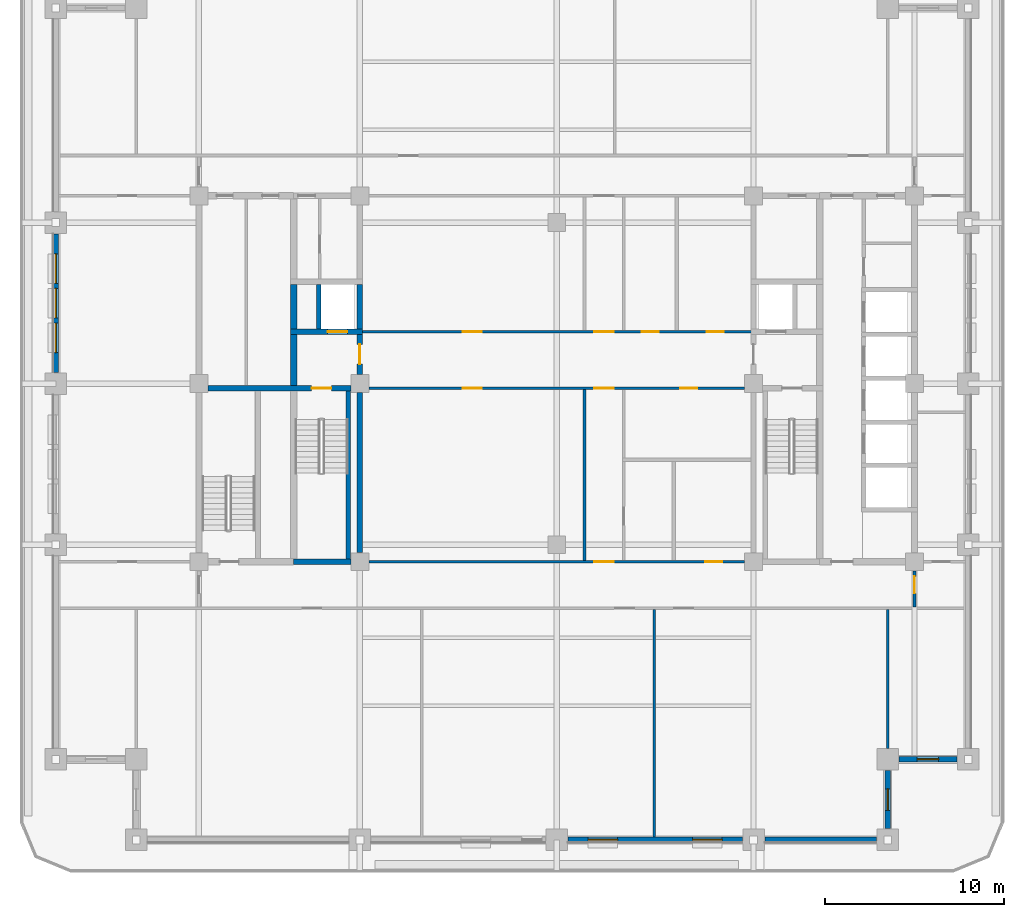
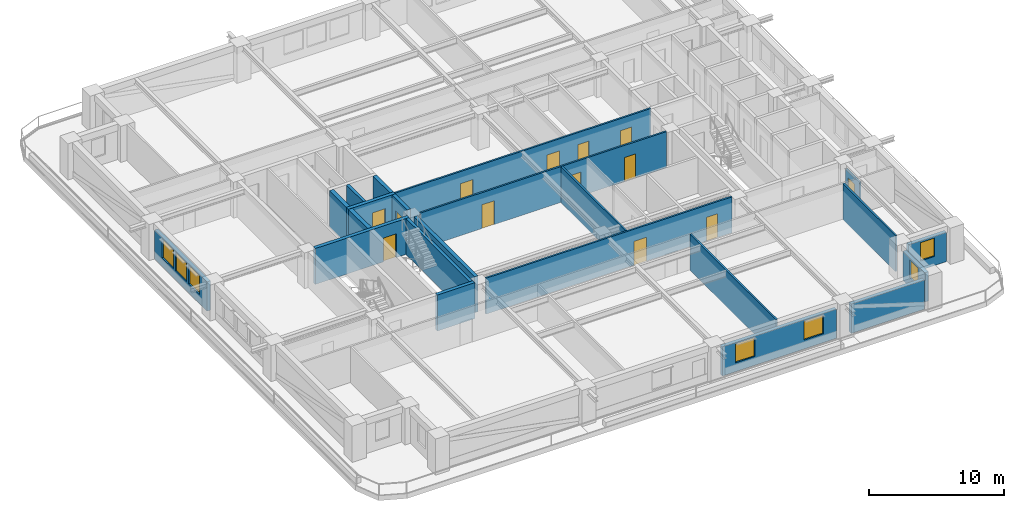
# One storey, part 3 of 15: 22 walls, 13 doors, 7 windows, 20 openings.
"""IFC4 building model written with IfcOpenShell, lengths in metres."""

import ifcopenshell
import ifcopenshell.guid

model = None  # the IFC model being written
_history = None  # IfcOwnerHistory: only IFC2X3 demands one
_inside = {}  # id of a spatial element -> (the spatial element, [elements in it])
_under = {}  # id of a project, library or spatial element -> (it, [spatial elements below it])
_declared = {}  # id of a project -> (the project, [libraries it declares])
_typed = {}  # id of a type object -> (the type object, [elements of that type])
_made_of = {}  # id of a material, layer set ... -> (it, [elements and type objects made of it])


def new_model(schema):
    """Start an empty IFC model of exactly this schema.

    Asked for "IFC4X3", IfcOpenShell would pick the latest addendum, in which some entities
    have other attributes; the version numbers below select the first issue.
    IFC2X3 requires an IfcOwnerHistory on every rooted entity: one is made here for all.
    """
    global model, _history
    if schema == "IFC4X3":
        model = ifcopenshell.file(schema_version=(4, 3, 0, 0))
    else:
        model = ifcopenshell.file(schema=schema)
    _inside.clear()
    _under.clear()
    _declared.clear()
    _typed.clear()
    _made_of.clear()
    _history = None
    if model.schema == "IFC2X3":
        org = make("IfcOrganization", Name="unknown")
        user = make(
            "IfcPersonAndOrganization",
            ThePerson=make("IfcPerson", FamilyName="unknown"),
            TheOrganization=org,
        )
        app = make(
            "IfcApplication",
            ApplicationDeveloper=org,
            Version="unknown",
            ApplicationFullName="unknown",
            ApplicationIdentifier="unknown",
        )
        _history = make(
            "IfcOwnerHistory",
            OwningUser=user,
            OwningApplication=app,
            ChangeAction="ADDED",
            CreationDate=0,
        )
    return model


def make(cls, **values):
    """One entity of the class cls with the attributes given. An attribute that is None is left unset."""
    return model.create_entity(
        cls, **{name: value for name, value in values.items() if value is not None}
    )


def rooted(cls, **values):
    """An entity with a GlobalId (a new one), such as an element, a storey or a relation."""
    return make(cls, GlobalId=ifcopenshell.guid.new(), OwnerHistory=_history, **values)


def si_unit(unit_type, name, prefix=None):
    """IfcSIUnit, for example si_unit("LENGTHUNIT", "METRE", prefix="MILLI")."""
    return make("IfcSIUnit", UnitType=unit_type, Prefix=prefix, Name=name)


def assignment(units):
    """IfcUnitAssignment: the units of a project."""
    return None if units is None else make("IfcUnitAssignment", Units=units)


def point(xyz):
    """IfcCartesianPoint."""
    return None if xyz is None else make("IfcCartesianPoint", Coordinates=xyz)


def direction(xyz):
    """IfcDirection."""
    return None if xyz is None else make("IfcDirection", DirectionRatios=xyz)


def frame(location, z_axis=None, x_axis=None):
    """IfcAxis2Placement3D, a coordinate frame: its origin and axes. An axis left out is left unset."""
    return make(
        "IfcAxis2Placement3D",
        Location=point(location),
        Axis=direction(z_axis),
        RefDirection=direction(x_axis),
    )


def frame_2d(location, x_axis=None):
    """IfcAxis2Placement2D, a coordinate frame in the plane: its origin and x axis."""
    return make(
        "IfcAxis2Placement2D", Location=point(location), RefDirection=direction(x_axis)
    )


def origin():
    """The frame at (0, 0, 0) with its axes left unset."""
    return frame((0.0, 0.0, 0.0))


def place(relative_to, where):
    """IfcLocalPlacement: puts the frame where relative to a parent placement (None: the world)."""
    return make(
        "IfcLocalPlacement", PlacementRelTo=relative_to, RelativePlacement=where
    )


def context(
    kind, dimensions, precision=None, world=None, true_north=None, identifier=None
):
    """IfcGeometricRepresentationContext, for example the 3D "Model" context."""
    return make(
        "IfcGeometricRepresentationContext",
        ContextIdentifier=identifier,
        ContextType=kind,
        CoordinateSpaceDimension=dimensions,
        Precision=precision,
        WorldCoordinateSystem=world,
        TrueNorth=true_north,
    )


def subcontext(parent, identifier, kind, view, scale=None):
    """IfcGeometricRepresentationSubContext, for example "Body" below "Model"."""
    return make(
        "IfcGeometricRepresentationSubContext",
        ContextIdentifier=identifier,
        ContextType=kind,
        ParentContext=parent,
        TargetScale=scale,
        TargetView=view,
    )


def project(units=None, contexts=None):
    """IfcProject with its units and contexts."""
    return rooted(
        "IfcProject",
        Name="project",
        RepresentationContexts=contexts,
        UnitsInContext=assignment(units),
    )


def spatial(cls, under=None, at=None, **own):
    """A site, building, storey or space (cls), placed at a placement, below another one or the project."""
    s = rooted(cls, ObjectPlacement=at, **own)
    if under is not None:
        _under.setdefault(under.id(), (under, []))[1].append(s)
    return s


def profile(cls, at=None, kind="AREA", **sizes):
    """A parametric profile (cls). Its sizes go by their IFC names, for example OverallWidth=200.0."""
    return make(cls, ProfileType=kind, Position=at, **sizes)


def rectangle(**sizes):
    """IfcRectangleProfileDef."""
    return profile("IfcRectangleProfileDef", **sizes)


def extrude(swept, where, along, depth):
    """IfcExtrudedAreaSolid: the profile swept, set in the frame where, extruded along a direction by depth."""
    return make(
        "IfcExtrudedAreaSolid",
        SweptArea=swept,
        Position=where,
        ExtrudedDirection=direction(along),
        Depth=depth,
    )


def shape(context_of_items, identifier, shape_type, items):
    """IfcShapeRepresentation: the items that make up one representation, for example the "Body"."""
    return make(
        "IfcShapeRepresentation",
        ContextOfItems=context_of_items,
        RepresentationIdentifier=identifier,
        RepresentationType=shape_type,
        Items=items,
    )


def material(Name=None, Category=None):
    """IfcMaterial."""
    return make("IfcMaterial", Name=Name, Category=Category)


def layer(
    of_material, thickness, ventilated=None, Name=None, Category=None, Priority=None
):
    """IfcMaterialLayer: one layer of a wall or slab, of a material (None: an air gap)."""
    return make(
        "IfcMaterialLayer",
        Material=of_material,
        LayerThickness=thickness,
        IsVentilated=ventilated,
        Name=Name,
        Category=Category,
        Priority=Priority,
    )


def layer_set(layers, Name=None):
    """IfcMaterialLayerSet."""
    return make("IfcMaterialLayerSet", MaterialLayers=layers, LayerSetName=Name)


def made_of(thing, what):
    """Note that an element or type object is made of a material, layer set ...; save() writes the relation."""
    if what is not None:
        _made_of.setdefault(what.id(), (what, []))[1].append(thing)
    return thing


def type_object(cls, material=None, **own):
    """A type object (cls), such as IfcWallType, which elements share."""
    return made_of(rooted(cls, **own), material)


def element(
    cls,
    number,
    at=None,
    inside=None,
    cuts=None,
    type_object=None,
    material=None,
    context=None,
    identifier="Body",
    shape_type=None,
    held_by="IfcProductDefinitionShape",
    body=None,
    shapes=None,
    **own,
):
    """One element of the class cls, such as IfcWall. Its Tag is "e" and its number.

    at: its placement. inside: the storey or other place that contains it. cuts: it is an
    opening in that element (IfcRelVoidsElement). A single representation is given by context,
    identifier, shape_type and body (its items); several are given by shapes. held_by: the class
    of the entity that holds the representations. save() writes the other relations.
    """
    e = rooted(cls, Tag="e%d" % number, ObjectPlacement=at, **own)
    if body is not None:
        shapes = [shape(context, identifier, shape_type, body)]
    if shapes is not None:
        e.Representation = make(held_by, Representations=shapes)
    if inside is not None:
        _inside.setdefault(inside.id(), (inside, []))[1].append(e)
    if cuts is not None:
        rooted(
            "IfcRelVoidsElement", RelatingBuildingElement=cuts, RelatedOpeningElement=e
        )
    if type_object is not None:
        _typed.setdefault(type_object.id(), (type_object, []))[1].append(e)
    return made_of(e, material)


def fill(opening, filler):
    """IfcRelFillsElement: the door or window that sits in an opening."""
    return rooted(
        "IfcRelFillsElement",
        RelatingOpeningElement=opening,
        RelatedBuildingElement=filler,
    )


def aggregate(whole, parts):
    """IfcRelAggregates: a whole, such as a stair, and the parts it consists of."""
    return rooted("IfcRelAggregates", RelatingObject=whole, RelatedObjects=parts)


def save(model, path):
    """Write the relations noted so far, then the file.

    IfcRelAggregates (storeys below a building ...), IfcRelContainedInSpatialStructure (elements
    in a storey), IfcRelDefinesByType, IfcRelAssociatesMaterial and IfcRelDeclares: one each for
    every whole, place, type object, material and project.
    """
    for whole, parts in _under.values():
        aggregate(whole, parts)
    for where, things in _inside.values():
        rooted(
            "IfcRelContainedInSpatialStructure",
            RelatedElements=things,
            RelatingStructure=where,
        )
    for kind, things in _typed.values():
        rooted("IfcRelDefinesByType", RelatedObjects=things, RelatingType=kind)
    for what, things in _made_of.values():
        rooted("IfcRelAssociatesMaterial", RelatedObjects=things, RelatingMaterial=what)
    for by, libraries in _declared.values():
        rooted("IfcRelDeclares", RelatingContext=by, RelatedDefinitions=libraries)
    model.write(path)


model = new_model("IFC4")

# Units and contexts
model_context = context("Model", 3, precision=1e-05, world=origin(), true_north=direction((0.0, 1.0)))
body_context = subcontext(model_context, "Body", "Model", "MODEL_VIEW")
ifc_project = project(units=[si_unit("LENGTHUNIT", "METRE"), si_unit("AREAUNIT", "SQUARE_METRE"), si_unit("VOLUMEUNIT", "CUBIC_METRE"), si_unit("PLANEANGLEUNIT", "RADIAN"), si_unit("MASSUNIT", "GRAM", prefix="KILO")], contexts=[model_context])

# Site, building, storey
site_placement = place(None, origin())
site = spatial("IfcSite", under=ifc_project, at=site_placement, CompositionType="ELEMENT")
building_placement = place(site_placement, origin())
building = spatial("IfcBuilding", under=site, at=building_placement, Name="Zulmaris Gate Convention Tower", CompositionType="ELEMENT")
storey_placement = place(building_placement, frame((0.0, 0.0, 139.199951171875)))
storey = spatial("IfcBuildingStorey", under=building, at=storey_placement, Name="L35", CompositionType="ELEMENT", Elevation=139.199951171875)

# Walls
ifc_material_1 = material(Name="Concrete C50/60", Category="concrete")
ifc_layer_1 = layer(ifc_material_1, 0.25, Name="Concrete C50/60")
ifc_layer_set_1 = layer_set([ifc_layer_1], Name="Concrete C50/60")
wall_type_1 = type_object("IfcWallType", Name="CORE-250", PredefinedType="SOLIDWALL", material=ifc_layer_set_1)
wall_1_placement = place(storey_placement, frame((-13.300048828125, 3.052001953125, 0.0), z_axis=(0.0, 0.0, 1.0), x_axis=(0.0, 1.0, 0.0)))
element("IfcWall", 1, at=wall_1_placement, inside=storey, type_object=wall_type_1, Name="WL-L35-041", PredefinedType="SOLIDWALL", context=body_context, shape_type="SweptSolid", body=[
    extrude(rectangle(XDim=2.49609375, YDim=0.25, at=frame_2d((1.248046875, 0.0))), origin(), (0.0, 0.0, 1.0), 3.244873046875),
])
wall_2_placement = place(storey_placement, frame((-11.64990234375, -9.798095703125, 0.0), z_axis=(0.0, 0.0, 1.0), x_axis=(0.0, 1.0, 0.0)))
element("IfcWall", 2, at=wall_2_placement, inside=storey, type_object=wall_type_1, Name="WL-L35-042", PredefinedType="SOLIDWALL", context=body_context, shape_type="SweptSolid", body=[
    extrude(rectangle(XDim=9.39599609375, YDim=0.25, at=frame_2d((4.697998046875, 0.0))), origin(), (0.0, 0.0, 1.0), 3.244873046875),
])
ifc_layer_2 = layer(ifc_material_1, 0.300048828125, Name="Concrete C50/60")
ifc_layer_set_2 = layer_set([ifc_layer_2], Name="Concrete C50/60")
wall_type_2 = type_object("IfcWallType", Name="CORE-300", PredefinedType="SHEAR", material=ifc_layer_set_2)
wall_3_placement = place(storey_placement, frame((-14.699951171875, -9.949951171875, 0.0), z_axis=(0.0, 0.0, 1.0), x_axis=(1.0, 0.0, 0.0)))
element("IfcWall", 3, at=wall_3_placement, inside=storey, type_object=wall_type_2, Name="WL-L35-002", PredefinedType="SHEAR", context=body_context, shape_type="SweptSolid", body=[
    extrude(rectangle(XDim=3.196044921875, YDim=0.300048828125, at=frame_2d((1.59814453125, 0.0))), origin(), (0.0, 0.0, 1.0), 3.244873046875),
])

# Wall, opening, door
wall_4_placement = place(storey_placement, frame((-19.49609375, -0.25, 0.0), z_axis=(0.0, 0.0, 1.0), x_axis=(1.0, 0.0, 0.0)))
wall_4 = element("IfcWall", 4, at=wall_4_placement, inside=storey, type_object=wall_type_2, Name="WL-L35-008", PredefinedType="SHEAR", context=body_context, shape_type="SweptSolid", body=[
    extrude(rectangle(XDim=7.9921875, YDim=0.300048828125, at=frame_2d((3.99609375, 0.0))), origin(), (0.0, 0.0, 1.0), 3.244873046875),
])
opening_1_placement = place(wall_4_placement, frame((5.7958984375, 0.0, 0.0)))
opening_1 = element("IfcOpeningElement", 5, at=opening_1_placement, cuts=wall_4, Name="Opening D-08", PredefinedType="OPENING", context=body_context, shape_type="SweptSolid", body=[
    extrude(rectangle(XDim=1.10009765625, YDim=2.14990234375, at=frame_2d((0.550048828125, 1.074951171875))), frame((0.0, 0.16015625, 0.0), z_axis=(0.0, -1.0, 0.0), x_axis=(1.0, 0.0, 0.0)), (0.0, 0.0, 1.0), 0.320068359375),
])
ifc_material_2 = material(Name="Fire-Rated Steel", Category="steel")
door_type_1 = type_object("IfcDoorType", Name="DR-1100-FD", OperationType="NOTDEFINED", PredefinedType="DOOR", material=ifc_material_2)
door_1_placement = place(opening_1_placement, origin())
door_1 = element("IfcDoor", 6, at=door_1_placement, inside=storey, type_object=door_type_1, Name="L35 Exit Stair ST-1 Door 01", OperationType="SINGLE_SWING_LEFT", OverallHeight=2.14990234375, OverallWidth=1.10009765625, PredefinedType="DOOR", context=body_context, shape_type="SweptSolid", body=[
    extrude(rectangle(XDim=1.10009765625, YDim=2.14990234375, at=frame_2d((0.550048828125, 1.074951171875))), frame((0.0, 0.02490234375, 0.0), z_axis=(0.0, -1.0, 0.0), x_axis=(1.0, 0.0, 0.0)), (0.0, 0.0, 1.0), 0.050048828125),
])
fill(opening_1, door_1)

wall_5_placement = place(storey_placement, frame((-14.875, 2.89990234375, 0.0), z_axis=(0.0, 0.0, 1.0), x_axis=(1.0, 0.0, 0.0)))
wall_5 = element("IfcWall", 7, at=wall_5_placement, inside=storey, type_object=wall_type_2, Name="WL-L35-012", PredefinedType="SHEAR", context=body_context, shape_type="SweptSolid", body=[
    extrude(rectangle(XDim=4.02490234375, YDim=0.300048828125, at=frame_2d((2.012451171875, 0.0))), origin(), (0.0, 0.0, 1.0), 3.244873046875),
])
opening_2_placement = place(wall_5_placement, frame((2.074951171875, 0.0, 0.0)))
opening_2 = element("IfcOpeningElement", 8, at=opening_2_placement, cuts=wall_5, Name="Opening D-06", PredefinedType="OPENING", context=body_context, shape_type="SweptSolid", body=[
    extrude(rectangle(XDim=1.10009765625, YDim=2.199951171875, at=frame_2d((0.550048828125, 1.10009765625))), frame((0.0, 0.16015625, 0.0), z_axis=(0.0, -1.0, 0.0), x_axis=(1.0, 0.0, 0.0)), (0.0, 0.0, 1.0), 0.320068359375),
])
ifc_material_3 = material(Name="Brushed Stainless Steel", Category="steel")
door_type_2 = type_object("IfcDoorType", Name="LD-1100", OperationType="NOTDEFINED", PredefinedType="DOOR", material=ifc_material_3)
door_2_placement = place(opening_2_placement, origin())
door_2 = element("IfcDoor", 9, at=door_2_placement, inside=storey, type_object=door_type_2, Name="L35 Lift Landing Door LF-01 03", OperationType="SLIDING_TO_LEFT", OverallHeight=2.199951171875, OverallWidth=1.10009765625, PredefinedType="DOOR", context=body_context, shape_type="SweptSolid", body=[
    extrude(rectangle(XDim=1.10009765625, YDim=2.199951171875, at=frame_2d((0.550048828125, 1.10009765625))), frame((0.0, 0.02490234375, 0.0), z_axis=(0.0, -1.0, 0.0), x_axis=(1.0, 0.0, 0.0)), (0.0, 0.0, 1.0), 0.050048828125),
])
fill(opening_2, door_2)

# Wall
wall_6_placement = place(storey_placement, frame((-11.0, -9.446044921875, 0.0), z_axis=(0.0, 0.0, 1.0), x_axis=(0.0, 1.0, 0.0)))
element("IfcWall", 10, at=wall_6_placement, inside=storey, type_object=wall_type_2, Name="WL-L35-043", PredefinedType="SHEAR", context=body_context, shape_type="SweptSolid", body=[
    extrude(rectangle(XDim=8.942138671875, YDim=0.300048828125, at=frame_2d((4.47119140625, 0.0))), origin(), (0.0, 0.0, 1.0), 3.244873046875),
])

# Wall, opening, door
wall_7_placement = place(storey_placement, frame((-11.0, 0.50390625, 0.0), z_axis=(0.0, 0.0, 1.0), x_axis=(0.0, 1.0, 0.0)))
wall_7 = element("IfcWall", 11, at=wall_7_placement, inside=storey, type_object=wall_type_2, Name="WL-L35-044", PredefinedType="SHEAR", context=body_context, shape_type="SweptSolid", body=[
    extrude(rectangle(XDim=2.244140625, YDim=0.300048828125, at=frame_2d((1.1220703125, 0.0))), origin(), (0.0, 0.0, 1.0), 3.244873046875),
])
opening_3_placement = place(wall_7_placement, frame((0.595947265625, 0.0, 0.0)))
opening_3 = element("IfcOpeningElement", 12, at=opening_3_placement, cuts=wall_7, Name="Opening D-08", PredefinedType="OPENING", context=body_context, shape_type="SweptSolid", body=[
    extrude(rectangle(XDim=1.10009765625, YDim=2.14990234375, at=frame_2d((0.550048828125, 1.074951171875))), frame((0.0, 0.16015625, 0.0), z_axis=(0.0, -1.0, 0.0), x_axis=(1.0, 0.0, 0.0)), (0.0, 0.0, 1.0), 0.320068359375),
])
door_3_placement = place(opening_3_placement, origin())
door_3 = element("IfcDoor", 13, at=door_3_placement, inside=storey, type_object=door_type_1, Name="L35 West Firefighting Lobby Door 02", OperationType="SINGLE_SWING_RIGHT", OverallHeight=2.14990234375, OverallWidth=1.10009765625, PredefinedType="DOOR", context=body_context, shape_type="SweptSolid", body=[
    extrude(rectangle(XDim=1.10009765625, YDim=2.14990234375, at=frame_2d((0.550048828125, 1.074951171875))), frame((0.0, 0.02490234375, 0.0), z_axis=(0.0, -1.0, 0.0), x_axis=(1.0, 0.0, 0.0)), (0.0, 0.0, 1.0), 0.050048828125),
])
fill(opening_3, door_3)

# Walls
wall_8_placement = place(storey_placement, frame((-11.0, 3.052001953125, 0.0), z_axis=(0.0, 0.0, 1.0), x_axis=(0.0, 1.0, 0.0)))
element("IfcWall", 14, at=wall_8_placement, inside=storey, type_object=wall_type_2, Name="WL-L35-045", PredefinedType="SHEAR", context=body_context, shape_type="SweptSolid", body=[
    extrude(rectangle(XDim=2.49609375, YDim=0.300048828125, at=frame_2d((1.248046875, 0.0))), origin(), (0.0, 0.0, 1.0), 3.244873046875),
])
ifc_material_4 = material(Name="Concrete C55/67", Category="concrete")
ifc_layer_3 = layer(ifc_material_4, 0.35009765625, Name="Concrete C55/67")
ifc_layer_set_3 = layer_set([ifc_layer_3], Name="Concrete C55/67")
wall_type_3 = type_object("IfcWallType", Name="CORE-350", PredefinedType="SHEAR", material=ifc_layer_set_3)
wall_9_placement = place(storey_placement, frame((-14.699951171875, -0.097900390625, 0.0), z_axis=(0.0, 0.0, 1.0), x_axis=(0.0, 1.0, 0.0)))
element("IfcWall", 15, at=wall_9_placement, inside=storey, type_object=wall_type_3, Name="WL-L35-038", PredefinedType="SHEAR", context=body_context, shape_type="SweptSolid", body=[
    extrude(rectangle(XDim=2.845947265625, YDim=0.35009765625, at=frame_2d((1.4228515625, 0.0))), origin(), (0.0, 0.0, 1.0), 3.244873046875),
])
wall_10_placement = place(storey_placement, frame((-14.699951171875, 3.052001953125, 0.0), z_axis=(0.0, 0.0, 1.0), x_axis=(0.0, 1.0, 0.0)))
element("IfcWall", 16, at=wall_10_placement, inside=storey, type_object=wall_type_3, Name="WL-L35-039", PredefinedType="SHEAR", context=body_context, shape_type="SweptSolid", body=[
    extrude(rectangle(XDim=2.49609375, YDim=0.35009765625, at=frame_2d((1.248046875, 0.0))), origin(), (0.0, 0.0, 1.0), 3.244873046875),
])

# Wall, openings, doors
ifc_material_5 = material(Name="Gypsum Metal Stud Partition")
ifc_layer_4 = layer(ifc_material_5, 0.14990234375, Name="Gypsum Metal Stud Partition")
ifc_layer_set_4 = layer_set([ifc_layer_4], Name="Gypsum Metal Stud Partition")
wall_type_4 = type_object("IfcWallType", Name="PART-150", PredefinedType="PARTITIONING", material=ifc_layer_set_4)
wall_11_placement = place(storey_placement, frame((-10.493896484375, -9.949951171875, 0.0), z_axis=(0.0, 0.0, 1.0), x_axis=(1.0, 0.0, 0.0)))
wall_11 = element("IfcWall", 17, at=wall_11_placement, inside=storey, type_object=wall_type_4, Name="WL-L35-023", PredefinedType="PARTITIONING", context=body_context, shape_type="SweptSolid", body=[
    extrude(rectangle(XDim=20.98779296875, YDim=0.14990234375, at=frame_2d((10.493896484375, 0.0))), origin(), (0.0, 0.0, 1.0), 3.244873046875),
])
opening_4_placement = place(wall_11_placement, frame((12.593994140625, 0.0, 0.0)))
opening_4 = element("IfcOpeningElement", 18, at=opening_4_placement, cuts=wall_11, Name="Opening D-08", PredefinedType="OPENING", context=body_context, shape_type="SweptSolid", body=[
    extrude(rectangle(XDim=1.10009765625, YDim=2.14990234375, at=frame_2d((0.550048828125, 1.074951171875))), frame((0.0, 0.0849609375, 0.0), z_axis=(0.0, -1.0, 0.0), x_axis=(1.0, 0.0, 0.0)), (0.0, 0.0, 1.0), 0.169921875),
])
opening_5_placement = place(wall_11_placement, frame((18.799072265625, 0.0, 0.0)))
opening_5 = element("IfcOpeningElement", 19, at=opening_5_placement, cuts=wall_11, Name="Opening D-11", PredefinedType="OPENING", context=body_context, shape_type="SweptSolid", body=[
    extrude(rectangle(XDim=0.949951171875, YDim=2.14990234375, at=frame_2d((0.47509765625, 1.074951171875))), frame((0.0, 0.0849609375, 0.0), z_axis=(0.0, -1.0, 0.0), x_axis=(1.0, 0.0, 0.0)), (0.0, 0.0, 1.0), 0.169921875),
])
door_4_placement = place(opening_4_placement, origin())
door_4 = element("IfcDoor", 20, at=door_4_placement, inside=storey, type_object=door_type_1, Name="L35 South Gallery Link Door 22", OperationType="SINGLE_SWING_RIGHT", OverallHeight=2.14990234375, OverallWidth=1.10009765625, PredefinedType="DOOR", context=body_context, shape_type="SweptSolid", body=[
    extrude(rectangle(XDim=1.10009765625, YDim=2.14990234375, at=frame_2d((0.550048828125, 1.074951171875))), frame((0.0, 0.02490234375, 0.0), z_axis=(0.0, -1.0, 0.0), x_axis=(1.0, 0.0, 0.0)), (0.0, 0.0, 1.0), 0.050048828125),
])
fill(opening_4, door_4)
ifc_material_6 = material(Name="Fire-Rated Timber", Category="wood")
door_type_3 = type_object("IfcDoorType", Name="DR-950-FD", OperationType="NOTDEFINED", PredefinedType="DOOR", material=ifc_material_6)
door_5_placement = place(opening_5_placement, origin())
door_5 = element("IfcDoor", 21, at=door_5_placement, inside=storey, type_object=door_type_3, Name="L35 Vault Store Door 36", OperationType="SINGLE_SWING_RIGHT", OverallHeight=2.14990234375, OverallWidth=0.949951171875, PredefinedType="DOOR", context=body_context, shape_type="SweptSolid", body=[
    extrude(rectangle(XDim=0.949951171875, YDim=2.14990234375, at=frame_2d((0.47509765625, 1.074951171875))), frame((0.0, 0.02490234375, 0.0), z_axis=(0.0, -1.0, 0.0), x_axis=(1.0, 0.0, 0.0)), (0.0, 0.0, 1.0), 0.050048828125),
])
fill(opening_5, door_5)

wall_12_placement = place(storey_placement, frame((-10.493896484375, -0.25, 0.0), z_axis=(0.0, 0.0, 1.0), x_axis=(1.0, 0.0, 0.0)))
wall_12 = element("IfcWall", 22, at=wall_12_placement, inside=storey, type_object=wall_type_4, Name="WL-L35-027", PredefinedType="PARTITIONING", context=body_context, shape_type="SweptSolid", body=[
    extrude(rectangle(XDim=20.98779296875, YDim=0.14990234375, at=frame_2d((10.493896484375, 0.0))), origin(), (0.0, 0.0, 1.0), 3.244873046875),
])
opening_6_placement = place(wall_12_placement, frame((12.593994140625, 0.0, 0.0)))
opening_6 = element("IfcOpeningElement", 23, at=opening_6_placement, cuts=wall_12, Name="Opening D-08", PredefinedType="OPENING", context=body_context, shape_type="SweptSolid", body=[
    extrude(rectangle(XDim=1.10009765625, YDim=2.14990234375, at=frame_2d((0.550048828125, 1.074951171875))), frame((0.0, 0.0849609375, 0.0), z_axis=(0.0, -1.0, 0.0), x_axis=(1.0, 0.0, 0.0)), (0.0, 0.0, 1.0), 0.169921875),
])
opening_7_placement = place(wall_12_placement, frame((5.2490234375, 0.0, 0.0)))
opening_7 = element("IfcOpeningElement", 24, at=opening_7_placement, cuts=wall_12, Name="Opening D-09", PredefinedType="OPENING", context=body_context, shape_type="SweptSolid", body=[
    extrude(rectangle(XDim=1.050048828125, YDim=2.14990234375, at=frame_2d((0.52490234375, 1.074951171875))), frame((0.0, 0.0849609375, 0.0), z_axis=(0.0, -1.0, 0.0), x_axis=(1.0, 0.0, 0.0)), (0.0, 0.0, 1.0), 0.169921875),
])
opening_8_placement = place(wall_12_placement, frame((17.39892578125, 0.0, 0.0)))
opening_8 = element("IfcOpeningElement", 25, at=opening_8_placement, cuts=wall_12, Name="Opening D-11", PredefinedType="OPENING", context=body_context, shape_type="SweptSolid", body=[
    extrude(rectangle(XDim=0.949951171875, YDim=2.14990234375, at=frame_2d((0.47509765625, 1.074951171875))), frame((0.0, 0.0849609375, 0.0), z_axis=(0.0, -1.0, 0.0), x_axis=(1.0, 0.0, 0.0)), (0.0, 0.0, 1.0), 0.169921875),
])
door_type_4 = type_object("IfcDoorType", Name="DR-1050-FD", OperationType="NOTDEFINED", PredefinedType="DOOR", material=ifc_material_2)
door_6_placement = place(opening_7_placement, origin())
door_6 = element("IfcDoor", 26, at=door_6_placement, inside=storey, type_object=door_type_4, Name="L35 Sky Library Door 33", OperationType="SINGLE_SWING_LEFT", OverallHeight=2.14990234375, OverallWidth=1.050048828125, PredefinedType="DOOR", context=body_context, shape_type="SweptSolid", body=[
    extrude(rectangle(XDim=1.050048828125, YDim=2.14990234375, at=frame_2d((0.52490234375, 1.074951171875))), frame((0.0, 0.02490234375, 0.0), z_axis=(0.0, -1.0, 0.0), x_axis=(1.0, 0.0, 0.0)), (0.0, 0.0, 1.0), 0.050048828125),
])
fill(opening_7, door_6)
door_7_placement = place(opening_6_placement, origin())
door_7 = element("IfcDoor", 27, at=door_7_placement, inside=storey, type_object=door_type_1, Name="L35 Cross Spine South Door 24", OperationType="SINGLE_SWING_RIGHT", OverallHeight=2.14990234375, OverallWidth=1.10009765625, PredefinedType="DOOR", context=body_context, shape_type="SweptSolid", body=[
    extrude(rectangle(XDim=1.10009765625, YDim=2.14990234375, at=frame_2d((0.550048828125, 1.074951171875))), frame((0.0, 0.02490234375, 0.0), z_axis=(0.0, -1.0, 0.0), x_axis=(1.0, 0.0, 0.0)), (0.0, 0.0, 1.0), 0.050048828125),
])
fill(opening_6, door_7)
door_8_placement = place(opening_8_placement, origin())
door_8 = element("IfcDoor", 28, at=door_8_placement, inside=storey, type_object=door_type_3, Name="L35 Public WC Door 34", OperationType="SINGLE_SWING_RIGHT", OverallHeight=2.14990234375, OverallWidth=0.949951171875, PredefinedType="DOOR", context=body_context, shape_type="SweptSolid", body=[
    extrude(rectangle(XDim=0.949951171875, YDim=2.14990234375, at=frame_2d((0.47509765625, 1.074951171875))), frame((0.0, 0.02490234375, 0.0), z_axis=(0.0, -1.0, 0.0), x_axis=(1.0, 0.0, 0.0)), (0.0, 0.0, 1.0), 0.050048828125),
])
fill(opening_8, door_8)

wall_13_placement = place(storey_placement, frame((-11.0, 2.89990234375, 0.0), z_axis=(0.0, 0.0, 1.0), x_axis=(1.0, 0.0, 0.0)))
wall_13 = element("IfcWall", 29, at=wall_13_placement, inside=storey, type_object=wall_type_4, Name="WL-L35-028", PredefinedType="PARTITIONING", context=body_context, shape_type="SweptSolid", body=[
    extrude(rectangle(XDim=22.0, YDim=0.14990234375, at=frame_2d((11.0, 0.0))), origin(), (0.0, 0.0, 1.0), 3.244873046875),
])
opening_9_placement = place(wall_13_placement, frame((13.10009765625, 0.0, 0.0)))
opening_9 = element("IfcOpeningElement", 30, at=opening_9_placement, cuts=wall_13, Name="Opening D-08", PredefinedType="OPENING", context=body_context, shape_type="SweptSolid", body=[
    extrude(rectangle(XDim=1.10009765625, YDim=2.14990234375, at=frame_2d((0.550048828125, 1.074951171875))), frame((0.0, 0.0849609375, 0.0), z_axis=(0.0, -1.0, 0.0), x_axis=(1.0, 0.0, 0.0)), (0.0, 0.0, 1.0), 0.169921875),
])
opening_10_placement = place(wall_13_placement, frame((5.7548828125, 0.0, 0.0)))
opening_10 = element("IfcOpeningElement", 31, at=opening_10_placement, cuts=wall_13, Name="Opening D-09", PredefinedType="OPENING", context=body_context, shape_type="SweptSolid", body=[
    extrude(rectangle(XDim=1.050048828125, YDim=2.14990234375, at=frame_2d((0.52490234375, 1.074951171875))), frame((0.0, 0.0849609375, 0.0), z_axis=(0.0, -1.0, 0.0), x_axis=(1.0, 0.0, 0.0)), (0.0, 0.0, 1.0), 0.169921875),
])
opening_11_placement = place(wall_13_placement, frame((15.7548828125, 0.0, 0.0)))
opening_11 = element("IfcOpeningElement", 32, at=opening_11_placement, cuts=wall_13, Name="Opening D-11", PredefinedType="OPENING", context=body_context, shape_type="SweptSolid", body=[
    extrude(rectangle(XDim=0.949951171875, YDim=2.14990234375, at=frame_2d((0.47509765625, 1.074951171875))), frame((0.0, 0.0849609375, 0.0), z_axis=(0.0, -1.0, 0.0), x_axis=(1.0, 0.0, 0.0)), (0.0, 0.0, 1.0), 0.169921875),
])
opening_12_placement = place(wall_13_placement, frame((19.385009765625, 0.0, 0.0)))
opening_12 = element("IfcOpeningElement", 33, at=opening_12_placement, cuts=wall_13, Name="Opening D-11", PredefinedType="OPENING", context=body_context, shape_type="SweptSolid", body=[
    extrude(rectangle(XDim=0.949951171875, YDim=2.14990234375, at=frame_2d((0.47509765625, 1.074951171875))), frame((0.0, 0.0849609375, 0.0), z_axis=(0.0, -1.0, 0.0), x_axis=(1.0, 0.0, 0.0)), (0.0, 0.0, 1.0), 0.169921875),
])
door_9_placement = place(opening_10_placement, origin())
door_9 = element("IfcDoor", 34, at=door_9_placement, inside=storey, type_object=door_type_4, Name="L35 Reception Door 30", OperationType="SINGLE_SWING_RIGHT", OverallHeight=2.14990234375, OverallWidth=1.050048828125, PredefinedType="DOOR", context=body_context, shape_type="SweptSolid", body=[
    extrude(rectangle(XDim=1.050048828125, YDim=2.14990234375, at=frame_2d((0.52490234375, 1.074951171875))), frame((0.0, 0.02490234375, 0.0), z_axis=(0.0, -1.0, 0.0), x_axis=(1.0, 0.0, 0.0)), (0.0, 0.0, 1.0), 0.050048828125),
])
fill(opening_10, door_9)
door_10_placement = place(opening_9_placement, origin())
door_10 = element("IfcDoor", 35, at=door_10_placement, inside=storey, type_object=door_type_1, Name="L35 Cross Spine North Door 23", OperationType="SINGLE_SWING_LEFT", OverallHeight=2.14990234375, OverallWidth=1.10009765625, PredefinedType="DOOR", context=body_context, shape_type="SweptSolid", body=[
    extrude(rectangle(XDim=1.10009765625, YDim=2.14990234375, at=frame_2d((0.550048828125, 1.074951171875))), frame((0.0, 0.02490234375, 0.0), z_axis=(0.0, -1.0, 0.0), x_axis=(1.0, 0.0, 0.0)), (0.0, 0.0, 1.0), 0.050048828125),
])
fill(opening_9, door_10)
door_11_placement = place(opening_11_placement, origin())
door_11 = element("IfcDoor", 36, at=door_11_placement, inside=storey, type_object=door_type_3, Name="L35 Briefing Door 31", OperationType="SINGLE_SWING_LEFT", OverallHeight=2.14990234375, OverallWidth=0.949951171875, PredefinedType="DOOR", context=body_context, shape_type="SweptSolid", body=[
    extrude(rectangle(XDim=0.949951171875, YDim=2.14990234375, at=frame_2d((0.47509765625, 1.074951171875))), frame((0.0, 0.02490234375, 0.0), z_axis=(0.0, -1.0, 0.0), x_axis=(1.0, 0.0, 0.0)), (0.0, 0.0, 1.0), 0.050048828125),
])
fill(opening_11, door_11)
door_12_placement = place(opening_12_placement, origin())
door_12 = element("IfcDoor", 37, at=door_12_placement, inside=storey, type_object=door_type_3, Name="L35 Dining Pantry Door 32", OperationType="SINGLE_SWING_RIGHT", OverallHeight=2.14990234375, OverallWidth=0.949951171875, PredefinedType="DOOR", context=body_context, shape_type="SweptSolid", body=[
    extrude(rectangle(XDim=0.949951171875, YDim=2.14990234375, at=frame_2d((0.47509765625, 1.074951171875))), frame((0.0, 0.02490234375, 0.0), z_axis=(0.0, -1.0, 0.0), x_axis=(1.0, 0.0, 0.0)), (0.0, 0.0, 1.0), 0.050048828125),
])
fill(opening_12, door_12)

# Walls
wall_14_placement = place(storey_placement, frame((1.550048828125, -9.8720703125, 0.0), z_axis=(0.0, 0.0, 1.0), x_axis=(0.0, 1.0, 0.0)))
element("IfcWall", 38, at=wall_14_placement, inside=storey, type_object=wall_type_4, Name="WL-L35-076", PredefinedType="PARTITIONING", context=body_context, shape_type="SweptSolid", body=[
    extrude(rectangle(XDim=9.544189453125, YDim=0.14990234375, at=frame_2d((4.77197265625, 0.0))), origin(), (0.0, 0.0, 1.0), 3.244873046875),
])
wall_15_placement = place(storey_placement, frame((5.449951171875, -25.3349609375, 0.0), z_axis=(0.0, 0.0, 1.0), x_axis=(0.0, 1.0, 0.0)))
element("IfcWall", 39, at=wall_15_placement, inside=storey, type_object=wall_type_4, Name="WL-L35-082", PredefinedType="PARTITIONING", context=body_context, shape_type="SweptSolid", body=[
    extrude(rectangle(XDim=12.70703125, YDim=0.14990234375, at=frame_2d((6.353515625, 0.0))), origin(), (0.0, 0.0, 1.0), 3.244873046875),
])
wall_16_placement = place(storey_placement, frame((18.5, -20.39404296875, 0.0), z_axis=(0.0, 0.0, 1.0), x_axis=(0.0, 1.0, 0.0)))
element("IfcWall", 40, at=wall_16_placement, inside=storey, type_object=wall_type_4, Name="WL-L35-087", PredefinedType="PARTITIONING", context=body_context, shape_type="SweptSolid", body=[
    extrude(rectangle(XDim=7.76611328125, YDim=0.14990234375, at=frame_2d((3.883056640625, 0.0))), origin(), (0.0, 0.0, 1.0), 3.244873046875),
])

# Wall, opening, door
wall_17_placement = place(storey_placement, frame((20.0, -12.471923828125, 0.0), z_axis=(0.0, 0.0, 1.0), x_axis=(0.0, 1.0, 0.0)))
wall_17 = element("IfcWall", 41, at=wall_17_placement, inside=storey, type_object=wall_type_4, Name="WL-L35-089", PredefinedType="PARTITIONING", context=body_context, shape_type="SweptSolid", body=[
    extrude(rectangle(XDim=2.015869140625, YDim=0.14990234375, at=frame_2d((1.0078125, 0.0))), origin(), (0.0, 0.0, 1.0), 2.73486328125),
])
opening_13_placement = place(wall_17_placement, frame((0.7470703125, 0.0, 0.0)))
opening_13 = element("IfcOpeningElement", 42, at=opening_13_placement, cuts=wall_17, Name="Opening D-11", PredefinedType="OPENING", context=body_context, shape_type="SweptSolid", body=[
    extrude(rectangle(XDim=0.949951171875, YDim=2.14990234375, at=frame_2d((0.47509765625, 1.074951171875))), frame((0.0, 0.0849609375, 0.0), z_axis=(0.0, -1.0, 0.0), x_axis=(1.0, 0.0, 0.0)), (0.0, 0.0, 1.0), 0.169921875),
])
door_13_placement = place(opening_13_placement, origin())
door_13 = element("IfcDoor", 43, at=door_13_placement, inside=storey, type_object=door_type_3, Name="L35 SE Spur Door 42", OperationType="SINGLE_SWING_RIGHT", OverallHeight=2.14990234375, OverallWidth=0.949951171875, PredefinedType="DOOR", context=body_context, shape_type="SweptSolid", body=[
    extrude(rectangle(XDim=0.949951171875, YDim=2.14990234375, at=frame_2d((0.47509765625, 1.074951171875))), frame((0.0, 0.02490234375, 0.0), z_axis=(0.0, -1.0, 0.0), x_axis=(1.0, 0.0, 0.0)), (0.0, 0.0, 1.0), 0.050048828125),
])
fill(opening_13, door_13)

# Wall, opening, window
ifc_material_7 = material(Name="Precast concrete C40/50", Category="concrete")
ifc_layer_5 = layer(ifc_material_7, 0.300048828125, Name="Precast concrete C40/50")
ifc_layer_set_5 = layer_set([ifc_layer_5], Name="Precast concrete C40/50")
wall_type_5 = type_object("IfcWallType", Name="PRECAST-PIER-300", PredefinedType="STANDARD", material=ifc_layer_set_5)
wall_18_placement = place(storey_placement, frame((18.5, -24.8701171875, 0.0), z_axis=(0.0, 0.0, 1.0), x_axis=(0.0, 1.0, 0.0)))
wall_18 = element("IfcWall", 44, at=wall_18_placement, inside=storey, type_object=wall_type_5, Name="EW-L35-NOTCH-SE1_0", PredefinedType="STANDARD", context=body_context, shape_type="SweptSolid", body=[
    extrude(rectangle(XDim=3.240234375, YDim=0.300048828125, at=frame_2d((1.6201171875, 0.0))), origin(), (0.0, 0.0, 1.0), 2.636962890625),
])
opening_14_placement = place(wall_18_placement, frame((1.02001953125, 0.0, 0.820068359375)))
opening_14 = element("IfcOpeningElement", 45, at=opening_14_placement, cuts=wall_18, Name="Opening W-04", PredefinedType="OPENING", context=body_context, shape_type="SweptSolid", body=[
    extrude(rectangle(XDim=1.199951171875, YDim=1.64990234375, at=frame_2d((0.60009765625, 0.824951171875))), frame((0.0, 0.16015625, 0.0), z_axis=(0.0, -1.0, 0.0), x_axis=(1.0, 0.0, 0.0)), (0.0, 0.0, 1.0), 0.320068359375),
])
ifc_material_8 = material(Name="Low-E Laminated Double Glazing in Aluminium Frame", Category="aluminium")
window_type_1 = type_object("IfcWindowType", Name="WIN-1200x2100", PartitioningType="SINGLE_PANEL", PredefinedType="WINDOW", material=ifc_material_8)
window_1_placement = place(opening_14_placement, origin())
window_1 = element("IfcWindow", 46, at=window_1_placement, inside=storey, type_object=window_type_1, Name="WN-EW-L35-NOTCH-SE1_0", OverallHeight=1.64990234375, OverallWidth=1.199951171875, PartitioningType="SINGLE_PANEL", PredefinedType="WINDOW", context=body_context, shape_type="SweptSolid", body=[
    extrude(rectangle(XDim=1.199951171875, YDim=1.64990234375, at=frame_2d((0.60009765625, 0.824951171875))), frame((0.0, 0.030029296875, 0.0), z_axis=(0.0, -1.0, 0.0), x_axis=(1.0, 0.0, 0.0)), (0.0, 0.0, 1.0), 0.06005859375),
])
fill(opening_14, window_1)

wall_19_placement = place(storey_placement, frame((19.1298828125, -21.0, 0.0), z_axis=(0.0, 0.0, 1.0), x_axis=(1.0, 0.0, 0.0)))
wall_19 = element("IfcWall", 47, at=wall_19_placement, inside=storey, type_object=wall_type_5, Name="EW-L35-NOTCH-SE2_0", PredefinedType="STANDARD", context=body_context, shape_type="SweptSolid", body=[
    extrude(rectangle(XDim=3.240234375, YDim=0.300048828125, at=frame_2d((1.6201171875, 0.0))), origin(), (0.0, 0.0, 1.0), 2.636962890625),
])
opening_15_placement = place(wall_19_placement, frame((1.02001953125, 0.0, 0.820068359375)))
opening_15 = element("IfcOpeningElement", 48, at=opening_15_placement, cuts=wall_19, Name="Opening W-04", PredefinedType="OPENING", context=body_context, shape_type="SweptSolid", body=[
    extrude(rectangle(XDim=1.199951171875, YDim=1.64990234375, at=frame_2d((0.60009765625, 0.824951171875))), frame((0.0, 0.16015625, 0.0), z_axis=(0.0, -1.0, 0.0), x_axis=(1.0, 0.0, 0.0)), (0.0, 0.0, 1.0), 0.320068359375),
])
window_2_placement = place(opening_15_placement, origin())
window_2 = element("IfcWindow", 49, at=window_2_placement, inside=storey, type_object=window_type_1, Name="WN-EW-L35-NOTCH-SE2_0", OverallHeight=1.64990234375, OverallWidth=1.199951171875, PartitioningType="SINGLE_PANEL", PredefinedType="WINDOW", context=body_context, shape_type="SweptSolid", body=[
    extrude(rectangle(XDim=1.199951171875, YDim=1.64990234375, at=frame_2d((0.60009765625, 0.824951171875))), frame((0.0, 0.030029296875, 0.0), z_axis=(0.0, -1.0, 0.0), x_axis=(1.0, 0.0, 0.0)), (0.0, 0.0, 1.0), 0.06005859375),
])
fill(opening_15, window_2)

# Wall, openings, windows
wall_20_placement = place(storey_placement, frame((0.6298828125, -25.5, 0.0), z_axis=(0.0, 0.0, 1.0), x_axis=(1.0, 0.0, 0.0)))
wall_20 = element("IfcWall", 50, at=wall_20_placement, inside=storey, type_object=wall_type_5, Name="EW-L35-S-2_0", PredefinedType="STANDARD", context=body_context, shape_type="SweptSolid", body=[
    extrude(rectangle(XDim=9.740234375, YDim=0.300048828125, at=frame_2d((4.8701171875, 0.0))), origin(), (0.0, 0.0, 1.0), 2.636962890625),
])
opening_16_placement = place(wall_20_placement, frame((1.123046875, 0.0, 0.800048828125)))
opening_16 = element("IfcOpeningElement", 51, at=opening_16_placement, cuts=wall_20, Name="Opening W-08", PredefinedType="OPENING", context=body_context, shape_type="SweptSolid", body=[
    extrude(rectangle(XDim=1.64990234375, YDim=1.699951171875, at=frame_2d((0.824951171875, 0.85009765625))), frame((0.0, 0.16015625, 0.0), z_axis=(0.0, -1.0, 0.0), x_axis=(1.0, 0.0, 0.0)), (0.0, 0.0, 1.0), 0.320068359375),
])
opening_17_placement = place(wall_20_placement, frame((6.967041015625, 0.0, 0.800048828125)))
opening_17 = element("IfcOpeningElement", 52, at=opening_17_placement, cuts=wall_20, Name="Opening W-08", PredefinedType="OPENING", context=body_context, shape_type="SweptSolid", body=[
    extrude(rectangle(XDim=1.64990234375, YDim=1.699951171875, at=frame_2d((0.824951171875, 0.85009765625))), frame((0.0, 0.16015625, 0.0), z_axis=(0.0, -1.0, 0.0), x_axis=(1.0, 0.0, 0.0)), (0.0, 0.0, 1.0), 0.320068359375),
])
window_type_2 = type_object("IfcWindowType", Name="WIN-1650x2150", PartitioningType="SINGLE_PANEL", PredefinedType="WINDOW", material=ifc_material_8)
window_3_placement = place(opening_16_placement, origin())
window_3 = element("IfcWindow", 53, at=window_3_placement, inside=storey, type_object=window_type_2, Name="WN-EW-L35-S-2_0-1", OverallHeight=1.699951171875, OverallWidth=1.64990234375, PartitioningType="SINGLE_PANEL", PredefinedType="WINDOW", context=body_context, shape_type="SweptSolid", body=[
    extrude(rectangle(XDim=1.64990234375, YDim=1.699951171875, at=frame_2d((0.824951171875, 0.85009765625))), frame((0.0, 0.030029296875, 0.0), z_axis=(0.0, -1.0, 0.0), x_axis=(1.0, 0.0, 0.0)), (0.0, 0.0, 1.0), 0.06005859375),
])
fill(opening_16, window_3)
window_4_placement = place(opening_17_placement, origin())
window_4 = element("IfcWindow", 54, at=window_4_placement, inside=storey, type_object=window_type_2, Name="WN-EW-L35-S-2_0-4", OverallHeight=1.699951171875, OverallWidth=1.64990234375, PartitioningType="SINGLE_PANEL", PredefinedType="WINDOW", context=body_context, shape_type="SweptSolid", body=[
    extrude(rectangle(XDim=1.64990234375, YDim=1.699951171875, at=frame_2d((0.824951171875, 0.85009765625))), frame((0.0, 0.030029296875, 0.0), z_axis=(0.0, -1.0, 0.0), x_axis=(1.0, 0.0, 0.0)), (0.0, 0.0, 1.0), 0.06005859375),
])
fill(opening_17, window_4)

# Wall
wall_21_placement = place(storey_placement, frame((11.6298828125, -25.5, 0.0), z_axis=(0.0, 0.0, 1.0), x_axis=(1.0, 0.0, 0.0)))
element("IfcWall", 55, at=wall_21_placement, inside=storey, type_object=wall_type_5, Name="EW-L35-S-3_0", PredefinedType="STANDARD", context=body_context, shape_type="SweptSolid", body=[
    extrude(rectangle(XDim=6.240234375, YDim=0.300048828125, at=frame_2d((3.1201171875, 0.0))), origin(), (0.0, 0.0, 1.0), 2.636962890625),
])

# Wall, openings, windows
wall_22_placement = place(storey_placement, frame((-28.0, 8.3701171875, 0.0), z_axis=(0.0, 0.0, 1.0), x_axis=(0.0, -1.0, 0.0)))
wall_22 = element("IfcWall", 56, at=wall_22_placement, inside=storey, type_object=wall_type_5, Name="EW-L35-W-2_0", PredefinedType="STANDARD", context=body_context, shape_type="SweptSolid", body=[
    extrude(rectangle(XDim=7.740234375, YDim=0.300048828125, at=frame_2d((3.8701171875, 0.0))), origin(), (0.0, 0.0, 1.0), 2.636962890625),
])
opening_18_placement = place(wall_22_placement, frame((1.110107421875, 0.0, 0.800048828125)))
opening_18 = element("IfcOpeningElement", 57, at=opening_18_placement, cuts=wall_22, Name="Opening W-08", PredefinedType="OPENING", context=body_context, shape_type="SweptSolid", body=[
    extrude(rectangle(XDim=1.64990234375, YDim=1.699951171875, at=frame_2d((0.824951171875, 0.85009765625))), frame((0.0, 0.16015625, 0.0), z_axis=(0.0, -1.0, 0.0), x_axis=(1.0, 0.0, 0.0)), (0.0, 0.0, 1.0), 0.320068359375),
])
opening_19_placement = place(wall_22_placement, frame((3.044921875, 0.0, 0.800048828125)))
opening_19 = element("IfcOpeningElement", 58, at=opening_19_placement, cuts=wall_22, Name="Opening W-08", PredefinedType="OPENING", context=body_context, shape_type="SweptSolid", body=[
    extrude(rectangle(XDim=1.64990234375, YDim=1.699951171875, at=frame_2d((0.824951171875, 0.85009765625))), frame((0.0, 0.16015625, 0.0), z_axis=(0.0, -1.0, 0.0), x_axis=(1.0, 0.0, 0.0)), (0.0, 0.0, 1.0), 0.320068359375),
])
opening_20_placement = place(wall_22_placement, frame((4.97998046875, 0.0, 0.800048828125)))
opening_20 = element("IfcOpeningElement", 59, at=opening_20_placement, cuts=wall_22, Name="Opening W-08", PredefinedType="OPENING", context=body_context, shape_type="SweptSolid", body=[
    extrude(rectangle(XDim=1.64990234375, YDim=1.699951171875, at=frame_2d((0.824951171875, 0.85009765625))), frame((0.0, 0.16015625, 0.0), z_axis=(0.0, -1.0, 0.0), x_axis=(1.0, 0.0, 0.0)), (0.0, 0.0, 1.0), 0.320068359375),
])
window_5_placement = place(opening_18_placement, origin())
window_5 = element("IfcWindow", 60, at=window_5_placement, inside=storey, type_object=window_type_2, Name="WN-EW-L35-W-2_0-1", OverallHeight=1.699951171875, OverallWidth=1.64990234375, PartitioningType="SINGLE_PANEL", PredefinedType="WINDOW", context=body_context, shape_type="SweptSolid", body=[
    extrude(rectangle(XDim=1.64990234375, YDim=1.699951171875, at=frame_2d((0.824951171875, 0.85009765625))), frame((0.0, 0.030029296875, 0.0), z_axis=(0.0, -1.0, 0.0), x_axis=(1.0, 0.0, 0.0)), (0.0, 0.0, 1.0), 0.06005859375),
])
fill(opening_18, window_5)
window_6_placement = place(opening_19_placement, origin())
window_6 = element("IfcWindow", 61, at=window_6_placement, inside=storey, type_object=window_type_2, Name="WN-EW-L35-W-2_0-2", OverallHeight=1.699951171875, OverallWidth=1.64990234375, PartitioningType="SINGLE_PANEL", PredefinedType="WINDOW", context=body_context, shape_type="SweptSolid", body=[
    extrude(rectangle(XDim=1.64990234375, YDim=1.699951171875, at=frame_2d((0.824951171875, 0.85009765625))), frame((0.0, 0.030029296875, 0.0), z_axis=(0.0, -1.0, 0.0), x_axis=(1.0, 0.0, 0.0)), (0.0, 0.0, 1.0), 0.06005859375),
])
fill(opening_19, window_6)
window_7_placement = place(opening_20_placement, origin())
window_7 = element("IfcWindow", 62, at=window_7_placement, inside=storey, type_object=window_type_2, Name="WN-EW-L35-W-2_0-3", OverallHeight=1.699951171875, OverallWidth=1.64990234375, PartitioningType="SINGLE_PANEL", PredefinedType="WINDOW", context=body_context, shape_type="SweptSolid", body=[
    extrude(rectangle(XDim=1.64990234375, YDim=1.699951171875, at=frame_2d((0.824951171875, 0.85009765625))), frame((0.0, 0.030029296875, 0.0), z_axis=(0.0, -1.0, 0.0), x_axis=(1.0, 0.0, 0.0)), (0.0, 0.0, 1.0), 0.06005859375),
])
fill(opening_20, window_7)

save(model, "model.ifc")
